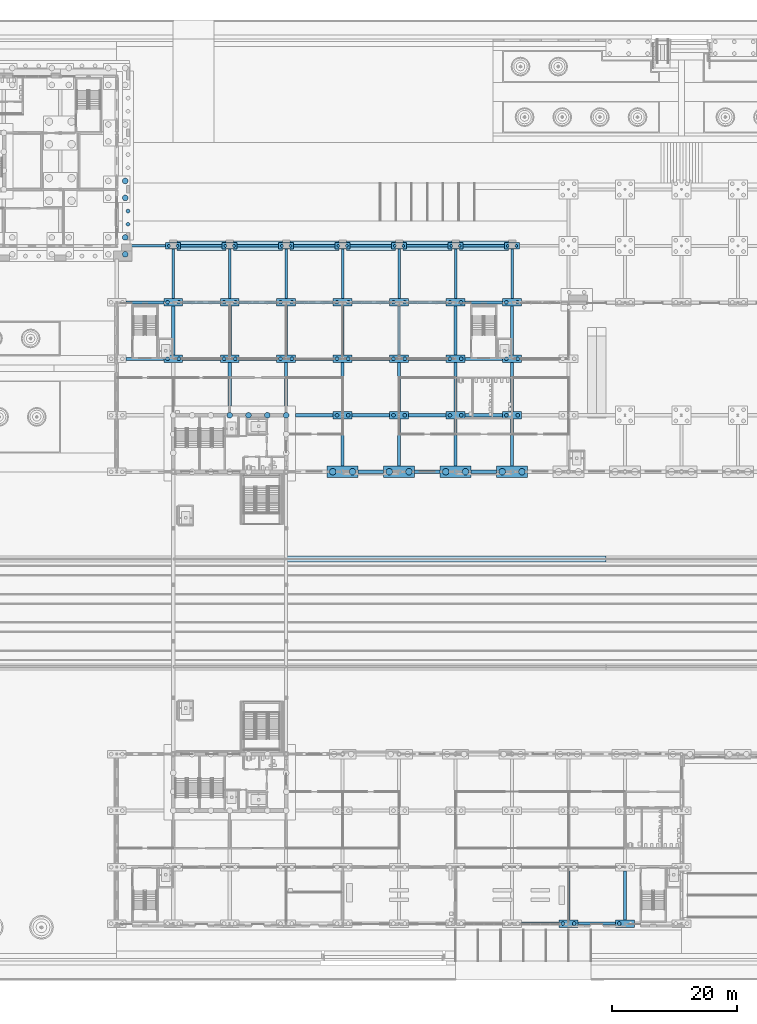
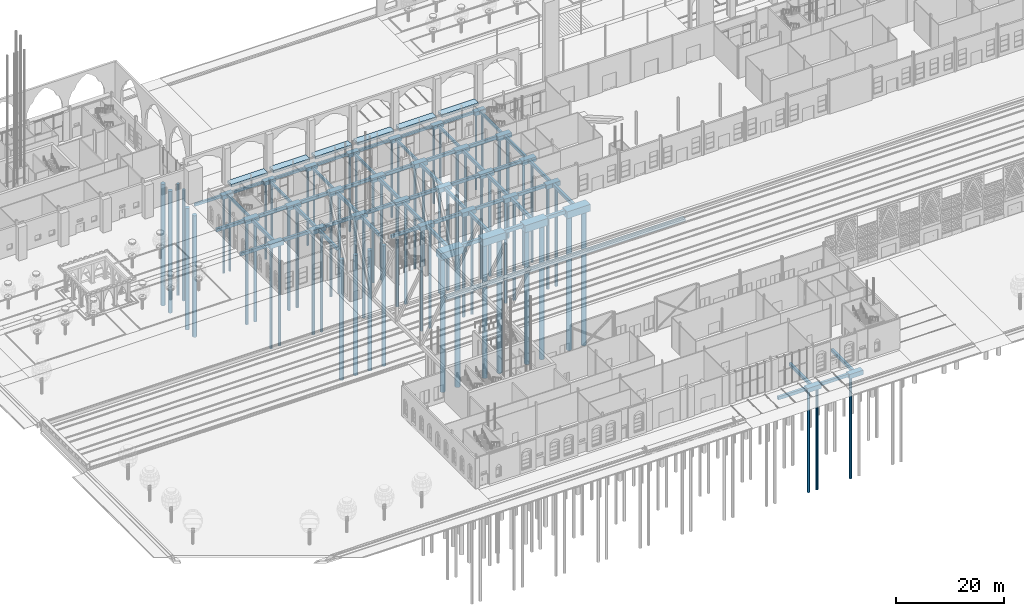
# One storey, part 3 of 250: 94 footings, 71 piles.
"""IFC4 building model written with IfcOpenShell, lengths in metres."""

from ifc_helpers import new_model, si_unit, direction, frame, origin, origin_2d, place, context, subcontext, project, spatial, rectangle, circle, extrude, material, type_object, element, save


model = new_model("IFC4")

# Units and contexts
model_context = context("Model", 3, precision=1e-05, world=origin(), true_north=direction((0.0, 1.0)))
body_context = subcontext(model_context, "Body", "Model", "MODEL_VIEW")
ifc_project = project(units=[si_unit("LENGTHUNIT", "METRE"), si_unit("AREAUNIT", "SQUARE_METRE"), si_unit("VOLUMEUNIT", "CUBIC_METRE"), si_unit("PLANEANGLEUNIT", "RADIAN"), si_unit("MASSUNIT", "GRAM", prefix="KILO")], contexts=[model_context])

# Site, building, storey
site_placement = place(None, origin())
site = spatial("IfcSite", under=ifc_project, at=site_placement, CompositionType="ELEMENT")
building_placement = place(site_placement, origin())
building = spatial("IfcBuilding", under=site, at=building_placement, Name="Baradari Gate Terminus", CompositionType="ELEMENT")
storey_placement = place(building_placement, origin())
storey = spatial("IfcBuildingStorey", under=building, at=storey_placement, Name="L00", CompositionType="ELEMENT", Elevation=0.0)

# Piles
ifc_material_1 = material(Name="Concrete C32/40", Category="concrete")
pile_type_1 = type_object("IfcPileType", Name="Bored pile BP1 D900", PredefinedType="BORED", material=ifc_material_1)
for number, where, z_axis, x_axis, name in (
    (1, (81.0, 90.0, -3.800048828125), (0.0, 0.0, -1.0), (1.0, 0.0, 0.0), "Bored pile BP1 under abutment core GN (8)"),
    (2, (84.0, 90.0, -3.800048828125), (0.0, 0.0, -1.0), (1.0, 0.0, 0.0), "Bored pile BP1 under abutment core GN (10)"),
    (3, (87.0, 90.0, -3.800048828125), (0.0, 0.0, -1.0), (1.0, 0.0, 0.0), "Bored pile BP1 under abutment core GN (12)"),
    (4, (90.0, 90.0, -3.800048828125), (0.0, 0.0, -1.0), (1.0, 0.0, 0.0), "Bored pile BP1 under abutment core GN (14)"),
):
    element("IfcPile", number, at=place(storey_placement, frame(where, z_axis=z_axis, x_axis=x_axis)), inside=storey, type_object=pile_type_1, Name=name, PredefinedType="BORED", context=body_context, shape_type="SweptSolid", body=[
        extrude(circle(Radius=0.449951171875, at=origin_2d()), origin(), (0.0, 0.0, 1.0), 27.199951171875),
    ])
for number, where, z_axis, x_axis, name in (
    (5, (64.35009765625, 115.64990234375, -3.5), (0.0, 0.0, -1.0), (1.0, 0.0, 0.0), "Bored pile BP1 at 8-P (2)"),
    (6, (64.35009765625, 118.35009765625, -3.5), (0.0, 0.0, -1.0), (1.0, 0.0, 0.0), "Bored pile BP1 at 8-P (4)"),
    (7, (64.35009765625, 124.64990234375, -3.5), (0.0, 0.0, -1.0), (1.0, 0.0, 0.0), "Bored pile BP1 at 8-Q (2)"),
    (8, (64.35009765625, 127.35009765625, -3.5), (0.0, 0.0, -1.0), (1.0, 0.0, 0.0), "Bored pile BP1 at 8-Q (4)"),
):
    element("IfcPile", number, at=place(storey_placement, frame(where, z_axis=z_axis, x_axis=x_axis)), inside=storey, type_object=pile_type_1, Name=name, PredefinedType="BORED", context=body_context, shape_type="SweptSolid", body=[
        extrude(circle(Radius=0.449951171875, at=origin_2d()), origin(), (0.0, 0.0, 1.0), 27.5),
    ])
ifc_material_2 = material(Name="Concrete C32/40", Category="concrete")
pile_type_2 = type_object("IfcPileType", Name="Bored pile BP2 D600", PredefinedType="BORED", material=ifc_material_2)
for number, where, z_axis, x_axis, name in (
    (9, (71.10009765625, 99.0, -3.0), (0.0, 0.0, -1.0), (1.0, 0.0, 0.0), "Bored pile BP2 at 9-M (1)"),
    (10, (72.89990234375, 99.0, -3.0), (0.0, 0.0, -1.0), (1.0, 0.0, 0.0), "Bored pile BP2 at 9-M (2)"),
    (11, (71.10009765625, 108.0, -3.0), (0.0, 0.0, -1.0), (1.0, 0.0, 0.0), "Bored pile BP2 at 9-N (1)"),
    (12, (72.89990234375, 108.0, -3.0), (0.0, 0.0, -1.0), (1.0, 0.0, 0.0), "Bored pile BP2 at 9-N (2)"),
    (13, (80.10009765625, 99.0, -3.0), (0.0, 0.0, -1.0), (1.0, 0.0, 0.0), "Bored pile BP2 at 10-M (1)"),
    (14, (81.89990234375, 99.0, -3.0), (0.0, 0.0, -1.0), (1.0, 0.0, 0.0), "Bored pile BP2 at 10-M (2)"),
    (15, (80.10009765625, 108.0, -3.0), (0.0, 0.0, -1.0), (1.0, 0.0, 0.0), "Bored pile BP2 at 10-N (1)"),
    (16, (81.89990234375, 108.0, -3.0), (0.0, 0.0, -1.0), (1.0, 0.0, 0.0), "Bored pile BP2 at 10-N (2)"),
    (17, (89.10009765625, 99.0, -3.0), (0.0, 0.0, -1.0), (1.0, 0.0, 0.0), "Bored pile BP2 at 11-M (1)"),
    (18, (90.89990234375, 99.0, -3.0), (0.0, 0.0, -1.0), (1.0, 0.0, 0.0), "Bored pile BP2 at 11-M (2)"),
    (19, (89.10009765625, 108.0, -3.0), (0.0, 0.0, -1.0), (1.0, 0.0, 0.0), "Bored pile BP2 at 11-N (1)"),
    (20, (90.89990234375, 108.0, -3.0), (0.0, 0.0, -1.0), (1.0, 0.0, 0.0), "Bored pile BP2 at 11-N (2)"),
    (21, (98.10009765625, 90.0, -3.0), (0.0, 0.0, -1.0), (1.0, 0.0, 0.0), "Bored pile BP2 at 12-L (1)"),
    (22, (99.89990234375, 90.0, -3.0), (0.0, 0.0, -1.0), (1.0, 0.0, 0.0), "Bored pile BP2 at 12-L (2)"),
    (23, (98.10009765625, 99.0, -3.0), (0.0, 0.0, -1.0), (1.0, 0.0, 0.0), "Bored pile BP2 at 12-M (1)"),
    (24, (99.89990234375, 99.0, -3.0), (0.0, 0.0, -1.0), (1.0, 0.0, 0.0), "Bored pile BP2 at 12-M (2)"),
    (25, (98.10009765625, 108.0, -3.0), (0.0, 0.0, -1.0), (1.0, 0.0, 0.0), "Bored pile BP2 at 12-N (1)"),
    (26, (99.89990234375, 108.0, -3.0), (0.0, 0.0, -1.0), (1.0, 0.0, 0.0), "Bored pile BP2 at 12-N (2)"),
    (27, (107.10009765625, 90.0, -3.0), (0.0, 0.0, -1.0), (1.0, 0.0, 0.0), "Bored pile BP2 at 13-L (1)"),
    (28, (108.89990234375, 90.0, -3.0), (0.0, 0.0, -1.0), (1.0, 0.0, 0.0), "Bored pile BP2 at 13-L (2)"),
    (29, (107.10009765625, 99.0, -3.0), (0.0, 0.0, -1.0), (1.0, 0.0, 0.0), "Bored pile BP2 at 13-M (1)"),
    (30, (108.89990234375, 99.0, -3.0), (0.0, 0.0, -1.0), (1.0, 0.0, 0.0), "Bored pile BP2 at 13-M (2)"),
    (31, (107.10009765625, 108.0, -3.0), (0.0, 0.0, -1.0), (1.0, 0.0, 0.0), "Bored pile BP2 at 13-N (1)"),
    (32, (108.89990234375, 108.0, -3.0), (0.0, 0.0, -1.0), (1.0, 0.0, 0.0), "Bored pile BP2 at 13-N (2)"),
    (33, (116.10009765625, 90.0, -3.0), (0.0, 0.0, -1.0), (1.0, 0.0, 0.0), "Bored pile BP2 at 14-L (1)"),
    (34, (117.89990234375, 90.0, -3.0), (0.0, 0.0, -1.0), (1.0, 0.0, 0.0), "Bored pile BP2 at 14-L (2)"),
    (35, (116.10009765625, 99.0, -3.0), (0.0, 0.0, -1.0), (1.0, 0.0, 0.0), "Bored pile BP2 at 14-M (1)"),
    (36, (117.89990234375, 99.0, -3.0), (0.0, 0.0, -1.0), (1.0, 0.0, 0.0), "Bored pile BP2 at 14-M (2)"),
    (37, (116.10009765625, 108.0, -3.0), (0.0, 0.0, -1.0), (1.0, 0.0, 0.0), "Bored pile BP2 at 14-N (1)"),
    (38, (117.89990234375, 108.0, -3.0), (0.0, 0.0, -1.0), (1.0, 0.0, 0.0), "Bored pile BP2 at 14-N (2)"),
    (39, (125.10009765625, 90.0, -3.0), (0.0, 0.0, -1.0), (1.0, 0.0, 0.0), "Bored pile BP2 at 15-L (1)"),
    (40, (126.89990234375, 90.0, -3.0), (0.0, 0.0, -1.0), (1.0, 0.0, 0.0), "Bored pile BP2 at 15-L (2)"),
    (41, (125.10009765625, 99.0, -3.0), (0.0, 0.0, -1.0), (1.0, 0.0, 0.0), "Bored pile BP2 at 15-M (1)"),
    (42, (126.89990234375, 99.0, -3.0), (0.0, 0.0, -1.0), (1.0, 0.0, 0.0), "Bored pile BP2 at 15-M (2)"),
    (43, (125.10009765625, 108.0, -3.0), (0.0, 0.0, -1.0), (1.0, 0.0, 0.0), "Bored pile BP2 at 15-N (1)"),
    (44, (126.89990234375, 108.0, -3.0), (0.0, 0.0, -1.0), (1.0, 0.0, 0.0), "Bored pile BP2 at 15-N (2)"),
    (45, (134.10009765625, 9.0, -3.0), (0.0, 0.0, -1.0), (1.0, 0.0, 0.0), "Bored pile BP2 at 16-B (1)"),
    (46, (135.89990234375, 9.0, -3.0), (0.0, 0.0, -1.0), (1.0, 0.0, 0.0), "Bored pile BP2 at 16-B (2)"),
    (47, (143.10009765625, 9.0, -3.0), (0.0, 0.0, -1.0), (1.0, 0.0, 0.0), "Bored pile BP2 at 17-B (1)"),
):
    element("IfcPile", number, at=place(storey_placement, frame(where, z_axis=z_axis, x_axis=x_axis)), inside=storey, type_object=pile_type_2, Name=name, PredefinedType="BORED", context=body_context, shape_type="SweptSolid", body=[
        extrude(circle(Radius=0.300048828125, at=origin_2d()), origin(), (0.0, 0.0, 1.0), 23.0),
    ])
for number, where, z_axis, x_axis, name in (
    (48, (64.800048828125, 120.449951171875, -0.85009765625), (0.0, 0.0, -1.0), (1.0, 0.0, 0.0), "Bored pile BP2 under the Operations block arcade E (1)"),
    (49, (64.800048828125, 122.550048828125, -0.85009765625), (0.0, 0.0, -1.0), (1.0, 0.0, 0.0), "Bored pile BP2 under the Operations block arcade E (2)"),
):
    element("IfcPile", number, at=place(storey_placement, frame(where, z_axis=z_axis, x_axis=x_axis)), inside=storey, type_object=pile_type_2, Name=name, PredefinedType="BORED", context=body_context, shape_type="SweptSolid", body=[
        extrude(circle(Radius=0.300048828125, at=origin_2d()), origin(), (0.0, 0.0, 1.0), 25.14990234375),
    ])
ifc_material_3 = material(Name="Concrete C32/40", Category="concrete")
pile_type_3 = type_object("IfcPileType", Name="Bored pile BP4 D450", PredefinedType="BORED", material=ifc_material_3)
for number, where, z_axis, x_axis, name in (
    (50, (71.324951171875, 117.0, -2.89990234375), (0.0, 0.0, -1.0), (1.0, 0.0, 0.0), "Bored pile BP4 at 9-P (1)"),
    (51, (72.675048828125, 117.0, -2.89990234375), (0.0, 0.0, -1.0), (1.0, 0.0, 0.0), "Bored pile BP4 at 9-P (2)"),
    (52, (80.324951171875, 117.0, -2.89990234375), (0.0, 0.0, -1.0), (1.0, 0.0, 0.0), "Bored pile BP4 at 10-P (1)"),
    (53, (81.675048828125, 117.0, -2.89990234375), (0.0, 0.0, -1.0), (1.0, 0.0, 0.0), "Bored pile BP4 at 10-P (2)"),
    (54, (89.324951171875, 117.0, -2.89990234375), (0.0, 0.0, -1.0), (1.0, 0.0, 0.0), "Bored pile BP4 at 11-P (1)"),
    (55, (90.675048828125, 117.0, -2.89990234375), (0.0, 0.0, -1.0), (1.0, 0.0, 0.0), "Bored pile BP4 at 11-P (2)"),
    (56, (98.324951171875, 117.0, -2.89990234375), (0.0, 0.0, -1.0), (1.0, 0.0, 0.0), "Bored pile BP4 at 12-P (1)"),
    (57, (99.675048828125, 117.0, -2.89990234375), (0.0, 0.0, -1.0), (1.0, 0.0, 0.0), "Bored pile BP4 at 12-P (2)"),
    (58, (107.324951171875, 117.0, -2.89990234375), (0.0, 0.0, -1.0), (1.0, 0.0, 0.0), "Bored pile BP4 at 13-P (1)"),
    (59, (108.675048828125, 117.0, -2.89990234375), (0.0, 0.0, -1.0), (1.0, 0.0, 0.0), "Bored pile BP4 at 13-P (2)"),
    (60, (116.324951171875, 117.0, -2.89990234375), (0.0, 0.0, -1.0), (1.0, 0.0, 0.0), "Bored pile BP4 at 14-P (1)"),
    (61, (117.675048828125, 117.0, -2.89990234375), (0.0, 0.0, -1.0), (1.0, 0.0, 0.0), "Bored pile BP4 at 14-P (2)"),
    (62, (125.324951171875, 117.0, -2.89990234375), (0.0, 0.0, -1.0), (1.0, 0.0, 0.0), "Bored pile BP4 at 15-P (1)"),
    (63, (126.675048828125, 117.0, -2.89990234375), (0.0, 0.0, -1.0), (1.0, 0.0, 0.0), "Bored pile BP4 at 15-P (2)"),
):
    element("IfcPile", number, at=place(storey_placement, frame(where, z_axis=z_axis, x_axis=x_axis)), inside=storey, type_object=pile_type_3, Name=name, PredefinedType="BORED", context=body_context, shape_type="SweptSolid", body=[
        extrude(circle(Radius=0.22509765625, at=origin_2d()), origin(), (0.0, 0.0, 1.0), 17.10009765625),
    ])
ifc_material_4 = material(Name="Concrete C32/40", Category="concrete")
pile_type_4 = type_object("IfcPileType", Name="Bored pile BP5 D1050", PredefinedType="BORED", material=ifc_material_4)
for number, where, z_axis, x_axis, name in (
    (64, (97.425048828125, 81.0, -3.60009765625), (0.0, 0.0, -1.0), (1.0, 0.0, 0.0), "Bored pile BP5 at 12-K (1)"),
    (65, (100.574951171875, 81.0, -3.60009765625), (0.0, 0.0, -1.0), (1.0, 0.0, 0.0), "Bored pile BP5 at 12-K (2)"),
    (66, (106.425048828125, 81.0, -3.60009765625), (0.0, 0.0, -1.0), (1.0, 0.0, 0.0), "Bored pile BP5 at 13-K (1)"),
    (67, (109.574951171875, 81.0, -3.60009765625), (0.0, 0.0, -1.0), (1.0, 0.0, 0.0), "Bored pile BP5 at 13-K (2)"),
    (68, (115.425048828125, 81.0, -3.60009765625), (0.0, 0.0, -1.0), (1.0, 0.0, 0.0), "Bored pile BP5 at 14-K (1)"),
    (69, (118.574951171875, 81.0, -3.60009765625), (0.0, 0.0, -1.0), (1.0, 0.0, 0.0), "Bored pile BP5 at 14-K (2)"),
    (70, (124.425048828125, 81.0, -3.60009765625), (0.0, 0.0, -1.0), (1.0, 0.0, 0.0), "Bored pile BP5 at 15-K (1)"),
    (71, (127.574951171875, 81.0, -3.60009765625), (0.0, 0.0, -1.0), (1.0, 0.0, 0.0), "Bored pile BP5 at 15-K (2)"),
):
    element("IfcPile", number, at=place(storey_placement, frame(where, z_axis=z_axis, x_axis=x_axis)), inside=storey, type_object=pile_type_4, Name=name, PredefinedType="BORED", context=body_context, shape_type="SweptSolid", body=[
        extrude(circle(Radius=0.52490234375, at=origin_2d()), origin(), (0.0, 0.0, 1.0), 30.39990234375),
    ])

# Footings
ifc_material_5 = material(Name="Concrete C32/40", Category="concrete")
footing_type_1 = type_object("IfcFootingType", Name="Ground beam TG1 500x700", PredefinedType="FOOTING_BEAM", material=ifc_material_5)
for number, where, z_axis, x_axis, name in (
    (72, (130.5, 9.0, -2.7998046875), (0.0, 0.0, 1.0), (1.0, 0.0, 0.0), "Ground beam TG1 line B 127.5 to 133.5"),
    (73, (139.5, 9.0, -2.7998046875), (0.0, 0.0, 1.0), (1.0, 0.0, 0.0), "Ground beam TG1 line B 136.5 to 142.5"),
    (74, (94.5, 90.0, -2.7998046875), (0.0, 0.0, 1.0), (1.0, 0.0, 0.0), "Ground beam TG1 line L 91.5 to 97.5"),
    (75, (103.5, 90.0, -2.7998046875), (0.0, 0.0, 1.0), (1.0, 0.0, 0.0), "Ground beam TG1 line L 100.5 to 106.5"),
    (76, (112.5, 90.0, -2.7998046875), (0.0, 0.0, 1.0), (1.0, 0.0, 0.0), "Ground beam TG1 line L 109.5 to 115.5"),
    (77, (121.5, 90.0, -2.7998046875), (0.0, 0.0, 1.0), (1.0, 0.0, 0.0), "Ground beam TG1 line L 118.5 to 124.5"),
    (78, (67.5, 99.0, -2.7998046875), (0.0, 0.0, 1.0), (1.0, 0.0, 0.0), "Ground beam TG1 line M 64.5 to 70.5"),
    (79, (76.5, 99.0, -2.7998046875), (0.0, 0.0, 1.0), (1.0, 0.0, 0.0), "Ground beam TG1 line M 73.5 to 79.5"),
    (80, (85.5, 99.0, -2.7998046875), (0.0, 0.0, 1.0), (1.0, 0.0, 0.0), "Ground beam TG1 line M 82.5 to 88.5"),
    (81, (94.5, 99.0, -2.7998046875), (0.0, 0.0, 1.0), (1.0, 0.0, 0.0), "Ground beam TG1 line M 91.5 to 97.5"),
    (82, (103.5, 99.0, -2.7998046875), (0.0, 0.0, 1.0), (1.0, 0.0, 0.0), "Ground beam TG1 line M 100.5 to 106.5"),
    (83, (112.5, 99.0, -2.7998046875), (0.0, 0.0, 1.0), (1.0, 0.0, 0.0), "Ground beam TG1 line M 109.5 to 115.5"),
    (84, (121.5, 99.0, -2.7998046875), (0.0, 0.0, 1.0), (1.0, 0.0, 0.0), "Ground beam TG1 line M 118.5 to 124.5"),
    (85, (67.5, 108.0, -2.7998046875), (0.0, 0.0, 1.0), (1.0, 0.0, 0.0), "Ground beam TG1 line N 64.5 to 70.5"),
    (86, (76.5, 108.0, -2.7998046875), (0.0, 0.0, 1.0), (1.0, 0.0, 0.0), "Ground beam TG1 line N 73.5 to 79.5"),
    (87, (85.5, 108.0, -2.7998046875), (0.0, 0.0, 1.0), (1.0, 0.0, 0.0), "Ground beam TG1 line N 82.5 to 88.5"),
    (88, (94.5, 108.0, -2.7998046875), (0.0, 0.0, 1.0), (1.0, 0.0, 0.0), "Ground beam TG1 line N 91.5 to 97.5"),
    (89, (103.5, 108.0, -2.7998046875), (0.0, 0.0, 1.0), (1.0, 0.0, 0.0), "Ground beam TG1 line N 100.5 to 106.5"),
    (90, (112.5, 108.0, -2.7998046875), (0.0, 0.0, 1.0), (1.0, 0.0, 0.0), "Ground beam TG1 line N 109.5 to 115.5"),
    (91, (121.5, 108.0, -2.7998046875), (0.0, 0.0, 1.0), (1.0, 0.0, 0.0), "Ground beam TG1 line N 118.5 to 124.5"),
):
    element("IfcFooting", number, at=place(storey_placement, frame(where, z_axis=z_axis, x_axis=x_axis)), inside=storey, type_object=footing_type_1, Name=name, PredefinedType="FOOTING_BEAM", context=body_context, shape_type="SweptSolid", body=[
        extrude(rectangle(XDim=6.0, YDim=0.5, at=origin_2d()), origin(), (0.0, 0.0, 1.0), 0.699951171875),
    ])
footing_1_placement = place(storey_placement, frame((72.0, 103.5, -2.7998046875), z_axis=(0.0, 0.0, 1.0), x_axis=(1.0, 0.0, 0.0)))
element("IfcFooting", 92, at=footing_1_placement, inside=storey, type_object=footing_type_1, Name="Ground beam TG1 line 9 99.6 to 107.4", PredefinedType="FOOTING_BEAM", context=body_context, shape_type="SweptSolid", body=[
    extrude(rectangle(XDim=0.5, YDim=7.800048828125, at=origin_2d()), origin(), (0.0, 0.0, 1.0), 0.699951171875),
])
footing_2_placement = place(storey_placement, frame((81.0, 94.949951171875, -2.7998046875), z_axis=(0.0, 0.0, 1.0), x_axis=(1.0, 0.0, 0.0)))
element("IfcFooting", 93, at=footing_2_placement, inside=storey, type_object=footing_type_1, Name="Ground beam TG1 line 10 91.5 to 98.4", PredefinedType="FOOTING_BEAM", context=body_context, shape_type="SweptSolid", body=[
    extrude(rectangle(XDim=0.5, YDim=6.89990234375, at=origin_2d()), origin(), (0.0, 0.0, 1.0), 0.699951171875),
])
footing_3_placement = place(storey_placement, frame((81.0, 103.5, -2.7998046875), z_axis=(0.0, 0.0, 1.0), x_axis=(1.0, 0.0, 0.0)))
element("IfcFooting", 94, at=footing_3_placement, inside=storey, type_object=footing_type_1, Name="Ground beam TG1 line 10 99.6 to 107.4", PredefinedType="FOOTING_BEAM", context=body_context, shape_type="SweptSolid", body=[
    extrude(rectangle(XDim=0.5, YDim=7.800048828125, at=origin_2d()), origin(), (0.0, 0.0, 1.0), 0.699951171875),
])
footing_4_placement = place(storey_placement, frame((90.0, 94.949951171875, -2.7998046875), z_axis=(0.0, 0.0, 1.0), x_axis=(1.0, 0.0, 0.0)))
element("IfcFooting", 95, at=footing_4_placement, inside=storey, type_object=footing_type_1, Name="Ground beam TG1 line 11 91.5 to 98.4", PredefinedType="FOOTING_BEAM", context=body_context, shape_type="SweptSolid", body=[
    extrude(rectangle(XDim=0.5, YDim=6.89990234375, at=origin_2d()), origin(), (0.0, 0.0, 1.0), 0.699951171875),
])
footing_5_placement = place(storey_placement, frame((90.0, 103.5, -2.7998046875), z_axis=(0.0, 0.0, 1.0), x_axis=(1.0, 0.0, 0.0)))
element("IfcFooting", 96, at=footing_5_placement, inside=storey, type_object=footing_type_1, Name="Ground beam TG1 line 11 99.6 to 107.4", PredefinedType="FOOTING_BEAM", context=body_context, shape_type="SweptSolid", body=[
    extrude(rectangle(XDim=0.5, YDim=7.800048828125, at=origin_2d()), origin(), (0.0, 0.0, 1.0), 0.699951171875),
])
footing_6_placement = place(storey_placement, frame((99.0, 85.64990234375, -2.7998046875), z_axis=(0.0, 0.0, 1.0), x_axis=(1.0, 0.0, 0.0)))
element("IfcFooting", 97, at=footing_6_placement, inside=storey, type_object=footing_type_1, Name="Ground beam TG1 line 12 81.9 to 89.4", PredefinedType="FOOTING_BEAM", context=body_context, shape_type="SweptSolid", body=[
    extrude(rectangle(XDim=0.5, YDim=7.5, at=origin_2d()), origin(), (0.0, 0.0, 1.0), 0.699951171875),
])
for number, where, z_axis, x_axis, name in (
    (98, (99.0, 94.5, -2.7998046875), (0.0, 0.0, 1.0), (1.0, 0.0, 0.0), "Ground beam TG1 line 12 90.6 to 98.4"),
    (99, (99.0, 103.5, -2.7998046875), (0.0, 0.0, 1.0), (1.0, 0.0, 0.0), "Ground beam TG1 line 12 99.6 to 107.4"),
):
    element("IfcFooting", number, at=place(storey_placement, frame(where, z_axis=z_axis, x_axis=x_axis)), inside=storey, type_object=footing_type_1, Name=name, PredefinedType="FOOTING_BEAM", context=body_context, shape_type="SweptSolid", body=[
        extrude(rectangle(XDim=0.5, YDim=7.800048828125, at=origin_2d()), origin(), (0.0, 0.0, 1.0), 0.699951171875),
    ])
footing_7_placement = place(storey_placement, frame((108.0, 85.64990234375, -2.7998046875), z_axis=(0.0, 0.0, 1.0), x_axis=(1.0, 0.0, 0.0)))
element("IfcFooting", 100, at=footing_7_placement, inside=storey, type_object=footing_type_1, Name="Ground beam TG1 line 13 81.9 to 89.4", PredefinedType="FOOTING_BEAM", context=body_context, shape_type="SweptSolid", body=[
    extrude(rectangle(XDim=0.5, YDim=7.5, at=origin_2d()), origin(), (0.0, 0.0, 1.0), 0.699951171875),
])
for number, where, z_axis, x_axis, name in (
    (101, (108.0, 94.5, -2.7998046875), (0.0, 0.0, 1.0), (1.0, 0.0, 0.0), "Ground beam TG1 line 13 90.6 to 98.4"),
    (102, (108.0, 103.5, -2.7998046875), (0.0, 0.0, 1.0), (1.0, 0.0, 0.0), "Ground beam TG1 line 13 99.6 to 107.4"),
):
    element("IfcFooting", number, at=place(storey_placement, frame(where, z_axis=z_axis, x_axis=x_axis)), inside=storey, type_object=footing_type_1, Name=name, PredefinedType="FOOTING_BEAM", context=body_context, shape_type="SweptSolid", body=[
        extrude(rectangle(XDim=0.5, YDim=7.800048828125, at=origin_2d()), origin(), (0.0, 0.0, 1.0), 0.699951171875),
    ])
footing_8_placement = place(storey_placement, frame((117.0, 85.64990234375, -2.7998046875), z_axis=(0.0, 0.0, 1.0), x_axis=(1.0, 0.0, 0.0)))
element("IfcFooting", 103, at=footing_8_placement, inside=storey, type_object=footing_type_1, Name="Ground beam TG1 line 14 81.9 to 89.4", PredefinedType="FOOTING_BEAM", context=body_context, shape_type="SweptSolid", body=[
    extrude(rectangle(XDim=0.5, YDim=7.5, at=origin_2d()), origin(), (0.0, 0.0, 1.0), 0.699951171875),
])
for number, where, z_axis, x_axis, name in (
    (104, (117.0, 94.5, -2.7998046875), (0.0, 0.0, 1.0), (1.0, 0.0, 0.0), "Ground beam TG1 line 14 90.6 to 98.4"),
    (105, (117.0, 103.5, -2.7998046875), (0.0, 0.0, 1.0), (1.0, 0.0, 0.0), "Ground beam TG1 line 14 99.6 to 107.4"),
):
    element("IfcFooting", number, at=place(storey_placement, frame(where, z_axis=z_axis, x_axis=x_axis)), inside=storey, type_object=footing_type_1, Name=name, PredefinedType="FOOTING_BEAM", context=body_context, shape_type="SweptSolid", body=[
        extrude(rectangle(XDim=0.5, YDim=7.800048828125, at=origin_2d()), origin(), (0.0, 0.0, 1.0), 0.699951171875),
    ])
footing_9_placement = place(storey_placement, frame((126.0, 85.64990234375, -2.7998046875), z_axis=(0.0, 0.0, 1.0), x_axis=(1.0, 0.0, 0.0)))
element("IfcFooting", 106, at=footing_9_placement, inside=storey, type_object=footing_type_1, Name="Ground beam TG1 line 15 81.9 to 89.4", PredefinedType="FOOTING_BEAM", context=body_context, shape_type="SweptSolid", body=[
    extrude(rectangle(XDim=0.5, YDim=7.5, at=origin_2d()), origin(), (0.0, 0.0, 1.0), 0.699951171875),
])
for number, where, z_axis, x_axis, name in (
    (107, (126.0, 94.5, -2.7998046875), (0.0, 0.0, 1.0), (1.0, 0.0, 0.0), "Ground beam TG1 line 15 90.6 to 98.4"),
    (108, (126.0, 103.5, -2.7998046875), (0.0, 0.0, 1.0), (1.0, 0.0, 0.0), "Ground beam TG1 line 15 99.6 to 107.4"),
    (109, (135.0, 13.5, -2.7998046875), (0.0, 0.0, 1.0), (1.0, 0.0, 0.0), "Ground beam TG1 line 16 9.6 to 17.4"),
    (110, (144.0, 13.5, -2.7998046875), (0.0, 0.0, 1.0), (1.0, 0.0, 0.0), "Ground beam TG1 line 17 9.6 to 17.4"),
):
    element("IfcFooting", number, at=place(storey_placement, frame(where, z_axis=z_axis, x_axis=x_axis)), inside=storey, type_object=footing_type_1, Name=name, PredefinedType="FOOTING_BEAM", context=body_context, shape_type="SweptSolid", body=[
        extrude(rectangle(XDim=0.5, YDim=7.800048828125, at=origin_2d()), origin(), (0.0, 0.0, 1.0), 0.699951171875),
    ])
ifc_material_6 = material(Name="Concrete C32/40", Category="concrete")
footing_type_2 = type_object("IfcFootingType", Name="Ground beam TG2 400x600", PredefinedType="FOOTING_BEAM", material=ifc_material_6)
footing_10_placement = place(storey_placement, frame((67.949951171875, 117.0, -2.699951171875), z_axis=(0.0, 0.0, 1.0), x_axis=(1.0, 0.0, 0.0)))
element("IfcFooting", 111, at=footing_10_placement, inside=storey, type_object=footing_type_2, Name="Ground beam TG2 line P 65.1 to 70.8", PredefinedType="FOOTING_BEAM", context=body_context, shape_type="SweptSolid", body=[
    extrude(rectangle(XDim=5.699951171875, YDim=0.39990234375, at=origin_2d()), origin(), (0.0, 0.0, 1.0), 0.60009765625),
])
for number, where, z_axis, x_axis, name in (
    (112, (76.5, 117.0, -2.699951171875), (0.0, 0.0, 1.0), (1.0, 0.0, 0.0), "Ground beam TG2 line P 73.2 to 79.8"),
    (113, (85.5, 117.0, -2.699951171875), (0.0, 0.0, 1.0), (1.0, 0.0, 0.0), "Ground beam TG2 line P 82.2 to 88.8"),
    (114, (94.5, 117.0, -2.699951171875), (0.0, 0.0, 1.0), (1.0, 0.0, 0.0), "Ground beam TG2 line P 91.2 to 97.8"),
    (115, (103.5, 117.0, -2.699951171875), (0.0, 0.0, 1.0), (1.0, 0.0, 0.0), "Ground beam TG2 line P 100.2 to 106.8"),
    (116, (112.5, 117.0, -2.699951171875), (0.0, 0.0, 1.0), (1.0, 0.0, 0.0), "Ground beam TG2 line P 109.2 to 115.8"),
    (117, (121.5, 117.0, -2.699951171875), (0.0, 0.0, 1.0), (1.0, 0.0, 0.0), "Ground beam TG2 line P 118.2 to 124.8"),
):
    element("IfcFooting", number, at=place(storey_placement, frame(where, z_axis=z_axis, x_axis=x_axis)), inside=storey, type_object=footing_type_2, Name=name, PredefinedType="FOOTING_BEAM", context=body_context, shape_type="SweptSolid", body=[
        extrude(rectangle(XDim=6.60009765625, YDim=0.39990234375, at=origin_2d()), origin(), (0.0, 0.0, 1.0), 0.60009765625),
    ])
for number, where, z_axis, x_axis, name in (
    (118, (72.0, 112.53759765625, -2.699951171875), (0.0, 0.0, 1.0), (1.0, 0.0, 0.0), "Ground beam TG2 line 9 108.6 to 116.47"),
    (119, (81.0, 112.53759765625, -2.699951171875), (0.0, 0.0, 1.0), (1.0, 0.0, 0.0), "Ground beam TG2 line 10 108.6 to 116.47"),
    (120, (90.0, 112.53759765625, -2.699951171875), (0.0, 0.0, 1.0), (1.0, 0.0, 0.0), "Ground beam TG2 line 11 108.6 to 116.47"),
    (121, (99.0, 112.53759765625, -2.699951171875), (0.0, 0.0, 1.0), (1.0, 0.0, 0.0), "Ground beam TG2 line 12 108.6 to 116.47"),
    (122, (108.0, 112.53759765625, -2.699951171875), (0.0, 0.0, 1.0), (1.0, 0.0, 0.0), "Ground beam TG2 line 13 108.6 to 116.47"),
    (123, (117.0, 112.53759765625, -2.699951171875), (0.0, 0.0, 1.0), (1.0, 0.0, 0.0), "Ground beam TG2 line 14 108.6 to 116.47"),
    (124, (126.0, 112.53759765625, -2.699951171875), (0.0, 0.0, 1.0), (1.0, 0.0, 0.0), "Ground beam TG2 line 15 108.6 to 116.47"),
):
    element("IfcFooting", number, at=place(storey_placement, frame(where, z_axis=z_axis, x_axis=x_axis)), inside=storey, type_object=footing_type_2, Name=name, PredefinedType="FOOTING_BEAM", context=body_context, shape_type="SweptSolid", body=[
        extrude(rectangle(XDim=0.39990234375, YDim=7.875, at=origin_2d()), origin(), (0.0, 0.0, 1.0), 0.60009765625),
    ])
ifc_material_7 = material(Name="Concrete C32/40", Category="concrete")
footing_type_3 = type_object("IfcFootingType", Name="Ground beam TG3 600x800", PredefinedType="FOOTING_BEAM", material=ifc_material_7)
for number, where, z_axis, x_axis, name in (
    (125, (103.5, 81.0, -2.89990234375), (0.0, 0.0, 1.0), (1.0, 0.0, 0.0), "Ground beam TG3 line K 101.47 to 105.53"),
    (126, (112.5, 81.0, -2.89990234375), (0.0, 0.0, 1.0), (1.0, 0.0, 0.0), "Ground beam TG3 line K 110.47 to 114.53"),
    (127, (121.5, 81.0, -2.89990234375), (0.0, 0.0, 1.0), (1.0, 0.0, 0.0), "Ground beam TG3 line K 119.47 to 123.53"),
):
    element("IfcFooting", number, at=place(storey_placement, frame(where, z_axis=z_axis, x_axis=x_axis)), inside=storey, type_object=footing_type_3, Name=name, PredefinedType="FOOTING_BEAM", context=body_context, shape_type="SweptSolid", body=[
        extrude(rectangle(XDim=4.050048828125, YDim=0.60009765625, at=origin_2d()), origin(), (0.0, 0.0, 1.0), 0.800048828125),
    ])
ifc_material_8 = material(Name="Concrete C32/40", Category="concrete")
footing_type_4 = type_object("IfcFootingType", Name="Pile cap PC4 3000x1200x1000", PredefinedType="PILE_CAP", material=ifc_material_8)
for number, where, z_axis, x_axis, name in (
    (128, (72.0, 99.0, -3.10009765625), (0.0, 0.0, 1.0), (1.0, 0.0, 0.0), "Pile cap PC4 at 9-M"),
    (129, (72.0, 108.0, -3.10009765625), (0.0, 0.0, 1.0), (1.0, 0.0, 0.0), "Pile cap PC4 at 9-N"),
    (130, (81.0, 99.0, -3.10009765625), (0.0, 0.0, 1.0), (1.0, 0.0, 0.0), "Pile cap PC4 at 10-M"),
    (131, (81.0, 108.0, -3.10009765625), (0.0, 0.0, 1.0), (1.0, 0.0, 0.0), "Pile cap PC4 at 10-N"),
    (132, (90.0, 99.0, -3.10009765625), (0.0, 0.0, 1.0), (1.0, 0.0, 0.0), "Pile cap PC4 at 11-M"),
    (133, (90.0, 108.0, -3.10009765625), (0.0, 0.0, 1.0), (1.0, 0.0, 0.0), "Pile cap PC4 at 11-N"),
    (134, (99.0, 90.0, -3.10009765625), (0.0, 0.0, 1.0), (1.0, 0.0, 0.0), "Pile cap PC4 at 12-L"),
    (135, (99.0, 99.0, -3.10009765625), (0.0, 0.0, 1.0), (1.0, 0.0, 0.0), "Pile cap PC4 at 12-M"),
    (136, (99.0, 108.0, -3.10009765625), (0.0, 0.0, 1.0), (1.0, 0.0, 0.0), "Pile cap PC4 at 12-N"),
    (137, (108.0, 90.0, -3.10009765625), (0.0, 0.0, 1.0), (1.0, 0.0, 0.0), "Pile cap PC4 at 13-L"),
    (138, (108.0, 99.0, -3.10009765625), (0.0, 0.0, 1.0), (1.0, 0.0, 0.0), "Pile cap PC4 at 13-M"),
    (139, (108.0, 108.0, -3.10009765625), (0.0, 0.0, 1.0), (1.0, 0.0, 0.0), "Pile cap PC4 at 13-N"),
    (140, (117.0, 90.0, -3.10009765625), (0.0, 0.0, 1.0), (1.0, 0.0, 0.0), "Pile cap PC4 at 14-L"),
    (141, (117.0, 99.0, -3.10009765625), (0.0, 0.0, 1.0), (1.0, 0.0, 0.0), "Pile cap PC4 at 14-M"),
    (142, (117.0, 108.0, -3.10009765625), (0.0, 0.0, 1.0), (1.0, 0.0, 0.0), "Pile cap PC4 at 14-N"),
    (143, (126.0, 90.0, -3.10009765625), (0.0, 0.0, 1.0), (1.0, 0.0, 0.0), "Pile cap PC4 at 15-L"),
    (144, (126.0, 99.0, -3.10009765625), (0.0, 0.0, 1.0), (1.0, 0.0, 0.0), "Pile cap PC4 at 15-M"),
    (145, (126.0, 108.0, -3.10009765625), (0.0, 0.0, 1.0), (1.0, 0.0, 0.0), "Pile cap PC4 at 15-N"),
    (146, (135.0, 9.0, -3.10009765625), (0.0, 0.0, 1.0), (1.0, 0.0, 0.0), "Pile cap PC4 at 16-B"),
    (147, (144.0, 9.0, -3.10009765625), (0.0, 0.0, 1.0), (1.0, 0.0, 0.0), "Pile cap PC4 at 17-B"),
):
    element("IfcFooting", number, at=place(storey_placement, frame(where, z_axis=z_axis, x_axis=x_axis)), inside=storey, type_object=footing_type_4, Name=name, PredefinedType="PILE_CAP", context=body_context, shape_type="SweptSolid", body=[
        extrude(rectangle(XDim=3.0, YDim=1.199951171875, at=origin_2d()), origin(), (0.0, 0.0, 1.0), 1.0),
    ])
ifc_material_9 = material(Name="Concrete C32/40", Category="concrete")
footing_type_5 = type_object("IfcFootingType", Name="Pile cap PC6 2400x1050x900", PredefinedType="PILE_CAP", material=ifc_material_9)
for number, where, z_axis, x_axis, name in (
    (148, (72.0, 117.0, -3.0), (0.0, 0.0, 1.0), (1.0, 0.0, 0.0), "Pile cap PC6 at 9-P"),
    (149, (81.0, 117.0, -3.0), (0.0, 0.0, 1.0), (1.0, 0.0, 0.0), "Pile cap PC6 at 10-P"),
    (150, (90.0, 117.0, -3.0), (0.0, 0.0, 1.0), (1.0, 0.0, 0.0), "Pile cap PC6 at 11-P"),
    (151, (99.0, 117.0, -3.0), (0.0, 0.0, 1.0), (1.0, 0.0, 0.0), "Pile cap PC6 at 12-P"),
    (152, (108.0, 117.0, -3.0), (0.0, 0.0, 1.0), (1.0, 0.0, 0.0), "Pile cap PC6 at 13-P"),
    (153, (117.0, 117.0, -3.0), (0.0, 0.0, 1.0), (1.0, 0.0, 0.0), "Pile cap PC6 at 14-P"),
    (154, (126.0, 117.0, -3.0), (0.0, 0.0, 1.0), (1.0, 0.0, 0.0), "Pile cap PC6 at 15-P"),
):
    element("IfcFooting", number, at=place(storey_placement, frame(where, z_axis=z_axis, x_axis=x_axis)), inside=storey, type_object=footing_type_5, Name=name, PredefinedType="PILE_CAP", context=body_context, shape_type="SweptSolid", body=[
        extrude(rectangle(XDim=2.39990234375, YDim=1.050048828125, at=origin_2d()), origin(), (0.0, 0.0, 1.0), 0.89990234375),
    ])
ifc_material_10 = material(Name="Concrete C32/40", Category="concrete")
footing_type_6 = type_object("IfcFootingType", Name="Pile cap PC7 4950x1800x1600", PredefinedType="PILE_CAP", material=ifc_material_10)
for number, where, z_axis, x_axis, name in (
    (155, (99.0, 81.0, -3.699951171875), (0.0, 0.0, 1.0), (1.0, 0.0, 0.0), "Pile cap PC7 at 12-K"),
    (156, (108.0, 81.0, -3.699951171875), (0.0, 0.0, 1.0), (1.0, 0.0, 0.0), "Pile cap PC7 at 13-K"),
    (157, (117.0, 81.0, -3.699951171875), (0.0, 0.0, 1.0), (1.0, 0.0, 0.0), "Pile cap PC7 at 14-K"),
    (158, (126.0, 81.0, -3.699951171875), (0.0, 0.0, 1.0), (1.0, 0.0, 0.0), "Pile cap PC7 at 15-K"),
):
    element("IfcFooting", number, at=place(storey_placement, frame(where, z_axis=z_axis, x_axis=x_axis)), inside=storey, type_object=footing_type_6, Name=name, PredefinedType="PILE_CAP", context=body_context, shape_type="SweptSolid", body=[
        extrude(rectangle(XDim=4.949951171875, YDim=1.800048828125, at=origin_2d()), origin(), (0.0, 0.0, 1.0), 1.60009765625),
    ])
ifc_material_11 = material(Name="Concrete C32/40", Category="concrete")
footing_type_7 = type_object("IfcFootingType", Name="Strip footing SF1 1000x500", PredefinedType="STRIP_FOOTING", material=ifc_material_11)
footing_11_placement = place(storey_placement, frame((115.5, 67.10009765625, -2.072021484375), z_axis=(0.0, 0.0, 1.0), x_axis=(1.0, 0.0, 0.0)))
element("IfcFooting", 159, at=footing_11_placement, inside=storey, type_object=footing_type_7, Name="Strip footing under platform 2 edge wall 2", PredefinedType="STRIP_FOOTING", context=body_context, shape_type="SweptSolid", body=[
    extrude(rectangle(XDim=51.0, YDim=1.0, at=origin_2d()), origin(), (0.0, 0.0, 1.0), 0.5),
])
ifc_material_12 = material(Name="Concrete C32/40", Category="concrete")
footing_type_8 = type_object("IfcFootingType", Name="Strip footing SF3 1500x600", PredefinedType="STRIP_FOOTING", material=ifc_material_12)
for number, where, z_axis, x_axis, name in (
    (160, (76.5, 117.0, -0.60009765625), (0.0, 0.0, 1.0), (1.0, 0.0, 0.0), "Arcade plinth footing 9 to 10"),
    (161, (85.5, 117.0, -0.60009765625), (0.0, 0.0, 1.0), (1.0, 0.0, 0.0), "Arcade plinth footing 10 to 11"),
    (162, (94.5, 117.0, -0.60009765625), (0.0, 0.0, 1.0), (1.0, 0.0, 0.0), "Arcade plinth footing 11 to 12"),
    (163, (103.5, 117.0, -0.60009765625), (0.0, 0.0, 1.0), (1.0, 0.0, 0.0), "Arcade plinth footing 12 to 13"),
    (164, (112.5, 117.0, -0.60009765625), (0.0, 0.0, 1.0), (1.0, 0.0, 0.0), "Arcade plinth footing 13 to 14"),
    (165, (121.5, 117.0, -0.60009765625), (0.0, 0.0, 1.0), (1.0, 0.0, 0.0), "Arcade plinth footing 14 to 15"),
):
    element("IfcFooting", number, at=place(storey_placement, frame(where, z_axis=z_axis, x_axis=x_axis)), inside=storey, type_object=footing_type_8, Name=name, PredefinedType="STRIP_FOOTING", context=body_context, shape_type="SweptSolid", body=[
        extrude(rectangle(XDim=7.800048828125, YDim=1.5, at=origin_2d()), origin(), (0.0, 0.0, 1.0), 0.60009765625),
    ])

save(model, "model.ifc")
